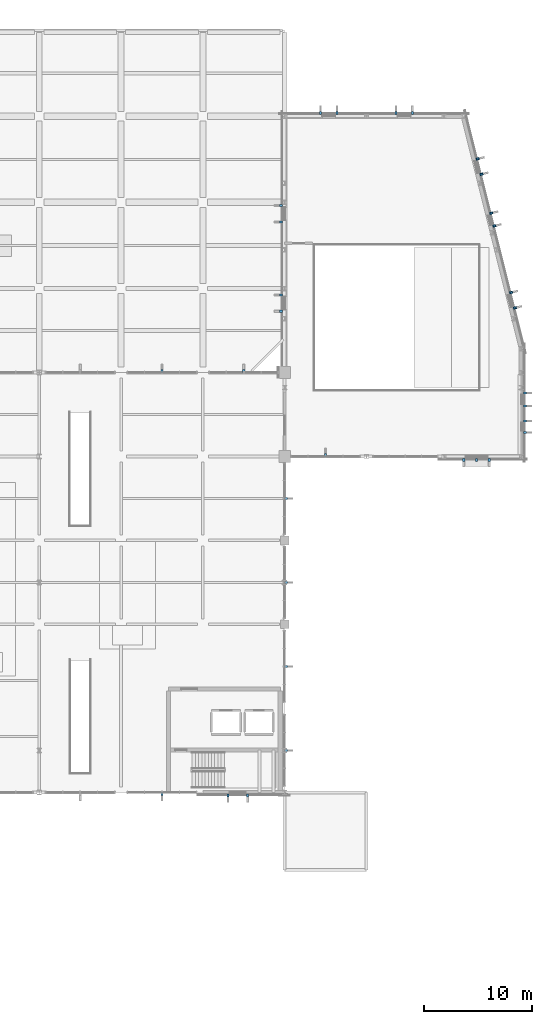
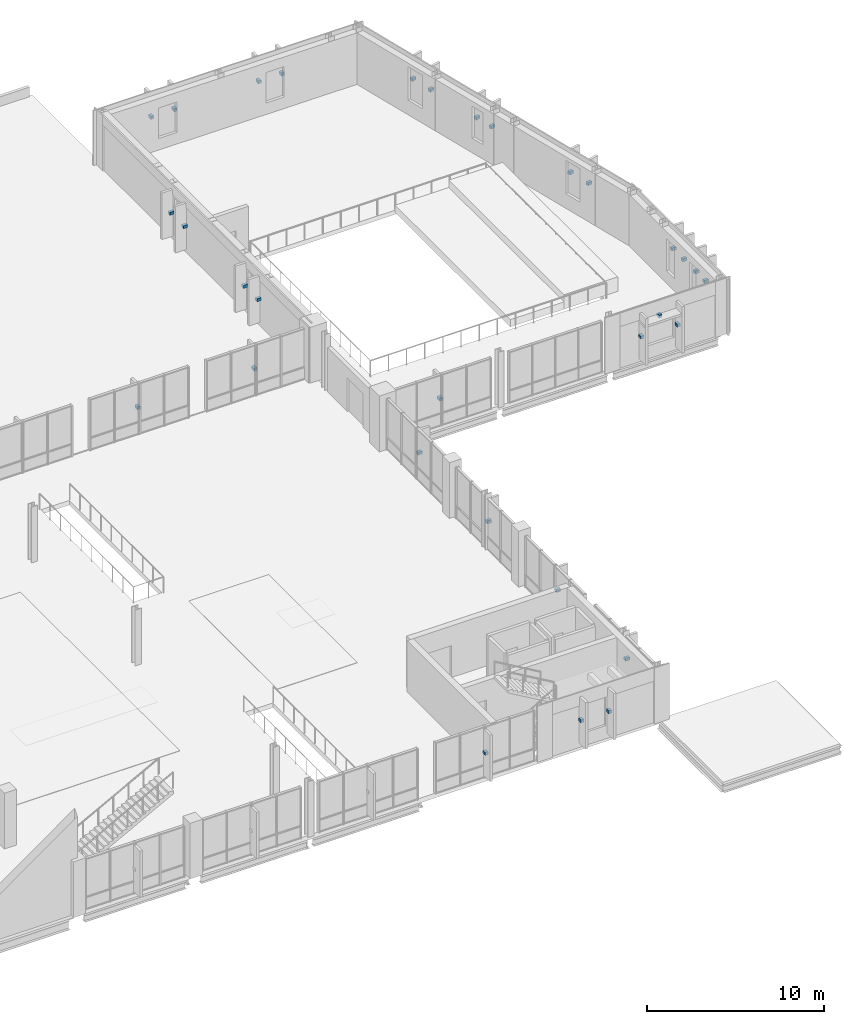
# One storey, part 70 of 85: 31 discrete accessories.
"""IFC4 building model written with IfcOpenShell, lengths in metres."""

from ifc_helpers import new_model, si_unit, direction, frame, origin, origin_2d, place, context, subcontext, project, spatial, rectangle, extrude, material, type_object, element, save


model = new_model("IFC4")

# Units and contexts
model_context = context("Model", 3, precision=1e-05, world=origin(), true_north=direction((0.0, 1.0)))
body_context = subcontext(model_context, "Body", "Model", "MODEL_VIEW")
ifc_project = project(units=[si_unit("LENGTHUNIT", "METRE"), si_unit("AREAUNIT", "SQUARE_METRE"), si_unit("VOLUMEUNIT", "CUBIC_METRE"), si_unit("PLANEANGLEUNIT", "RADIAN"), si_unit("MASSUNIT", "GRAM", prefix="KILO")], contexts=[model_context])

# Site, building, storey
site_placement = place(None, origin())
site = spatial("IfcSite", under=ifc_project, at=site_placement, CompositionType="ELEMENT")
building_placement = place(site_placement, origin())
building = spatial("IfcBuilding", under=site, at=building_placement, Name="Vervanel Yard Central Library", CompositionType="ELEMENT")
storey_placement = place(building_placement, frame((0.0, 0.0, 5.10009765625)))
storey = spatial("IfcBuildingStorey", under=building, at=storey_placement, Name="L01", CompositionType="ELEMENT", Elevation=5.10009765625)

# Discrete accessories
ifc_material = material(Name="Steel ASTM A572 Grade 50", Category="steel")
discrete_accessory_type = type_object("IfcDiscreteAccessoryType", Name="Stainless Solar Fin Fixing Bracket", PredefinedType="BRACKET", material=ifc_material)
for number, where, z_axis, x_axis, name in (
    (1, (134.60009765625, 43.070068359375, 1.6650390625), (0.0, 0.0, 1.0), (1.0, 0.0, 0.0), "L01 Solar Fin Bracket 452"),
    (2, (140.739990234375, 42.909912109375, 1.85009765625), (0.0, 0.0, 1.0), (1.0, 0.0, 0.0), "L01 Solar Fin Bracket 453"),
    (3, (142.56005859375, 42.909912109375, 1.85009765625), (0.0, 0.0, 1.0), (1.0, 0.0, 0.0), "L01 Solar Fin Bracket 454"),
    (4, (134.60009765625, 82.330078125, 1.6650390625), (0.0, 0.0, 1.0), (1.0, 0.0, 0.0), "L01 Solar Fin Bracket 469"),
    (5, (142.199951171875, 82.330078125, 1.6650390625), (0.0, 0.0, 1.0), (1.0, 0.0, 0.0), "L01 Solar Fin Bracket 470"),
    (6, (146.1298828125, 47.10009765625, 1.6650390625), (0.0, 0.0, 1.0), (0.0, 1.0, 0.0), "L01 Solar Fin Bracket 487"),
    (7, (146.1298828125, 54.89990234375, 1.6650390625), (0.0, 0.0, 1.0), (0.0, 1.0, 0.0), "L01 Solar Fin Bracket 488"),
    (8, (146.1298828125, 62.699951171875, 1.6650390625), (0.0, 0.0, 1.0), (0.0, 1.0, 0.0), "L01 Solar Fin Bracket 489"),
    (9, (146.1298828125, 70.5, 1.6650390625), (0.0, 0.0, 1.0), (0.0, 1.0, 0.0), "L01 Solar Fin Bracket 490"),
    (10, (149.800048828125, 74.530029296875, 1.6650390625), (0.0, 0.0, 1.0), (1.0, 0.0, 0.0), "L01 Solar Fin Bracket 516"),
    (11, (162.639892578125, 74.070068359375, 1.72509765625), (0.0, 0.0, 1.0), (1.0, 0.0, 0.0), "L01 Solar Fin Bracket 517"),
    (12, (165.010009765625, 74.070068359375, 1.72509765625), (0.0, 0.0, 1.0), (1.0, 0.0, 0.0), "L01 Solar Fin Bracket 518"),
    (13, (163.824951171875, 74.070068359375, 2.75), (0.0, 0.0, 1.0), (1.0, 0.0, 0.0), "L01 Sunhood Bracket 101"),
    (14, (168.330078125, 76.639892578125, 2.0), (0.0, 0.0, 1.0), (0.0, 1.0, 0.0), "L01 Solar Fin Bracket 519"),
    (15, (168.330078125, 77.7099609375, 2.0), (0.0, 0.0, 1.0), (0.0, 1.0, 0.0), "L01 Solar Fin Bracket 520"),
    (16, (168.330078125, 79.090087890625, 2.0), (0.0, 0.0, 1.0), (0.0, 1.0, 0.0), "L01 Solar Fin Bracket 521"),
    (17, (168.330078125, 80.31005859375, 2.0), (0.0, 0.0, 1.0), (0.0, 1.0, 0.0), "L01 Solar Fin Bracket 522"),
    (18, (167.388916015625, 88.205322265625, 2.0498046875), (0.0, 0.0, 1.0), (-0.242534889029, 0.970142684147, 0.0), "L01 Solar Fin Bracket 523"),
    (19, (167.0322265625, 89.631591796875, 2.0498046875), (0.0, 0.0, 1.0), (-0.242534889029, 0.970142684147, 0.0), "L01 Solar Fin Bracket 524"),
    (20, (165.48486328125, 95.821044921875, 2.0), (0.0, 0.0, 1.0), (-0.242534889029, 0.970142684147, 0.0), "L01 Solar Fin Bracket 525"),
    (21, (165.18896484375, 97.004638671875, 2.0), (0.0, 0.0, 1.0), (-0.242534889029, 0.970142684147, 0.0), "L01 Solar Fin Bracket 526"),
    (22, (164.2841796875, 100.623291015625, 2.0498046875), (0.0, 0.0, 1.0), (-0.242534889029, 0.970142684147, 0.0), "L01 Solar Fin Bracket 527"),
    (23, (163.927734375, 102.04931640625, 2.0498046875), (0.0, 0.0, 1.0), (-0.242534889029, 0.970142684147, 0.0), "L01 Solar Fin Bracket 528"),
    (24, (149.340087890625, 106.330078125, 1.94970703125), (0.0, 0.0, 1.0), (1.0, 0.0, 0.0), "L01 Solar Fin Bracket 529"),
    (25, (150.860107421875, 106.330078125, 1.94970703125), (0.0, 0.0, 1.0), (1.0, 0.0, 0.0), "L01 Solar Fin Bracket 530"),
    (26, (156.340087890625, 106.330078125, 1.94970703125), (0.0, 0.0, 1.0), (1.0, 0.0, 0.0), "L01 Solar Fin Bracket 531"),
    (27, (157.860107421875, 106.330078125, 1.94970703125), (0.0, 0.0, 1.0), (1.0, 0.0, 0.0), "L01 Solar Fin Bracket 532"),
    (28, (145.669921875, 87.889892578125, 1.85009765625), (0.0, 0.0, 1.0), (0.0, 1.0, 0.0), "L01 Solar Fin Bracket 549"),
    (29, (145.669921875, 89.409912109375, 1.85009765625), (0.0, 0.0, 1.0), (0.0, 1.0, 0.0), "L01 Solar Fin Bracket 550"),
    (30, (145.669921875, 96.18994140625, 1.85009765625), (0.0, 0.0, 1.0), (0.0, 1.0, 0.0), "L01 Solar Fin Bracket 551"),
    (31, (145.669921875, 97.7099609375, 1.85009765625), (0.0, 0.0, 1.0), (0.0, 1.0, 0.0), "L01 Solar Fin Bracket 552"),
):
    element("IfcDiscreteAccessory", number, at=place(storey_placement, frame(where, z_axis=z_axis, x_axis=x_axis)), inside=storey, type_object=discrete_accessory_type, Name=name, PredefinedType="BRACKET", context=body_context, shape_type="SweptSolid", body=[
        extrude(rectangle(XDim=0.199951171875, YDim=0.280029296875, at=origin_2d()), origin(), (0.0, 0.0, 1.0), 0.199951171875),
    ])

save(model, "model.ifc")
